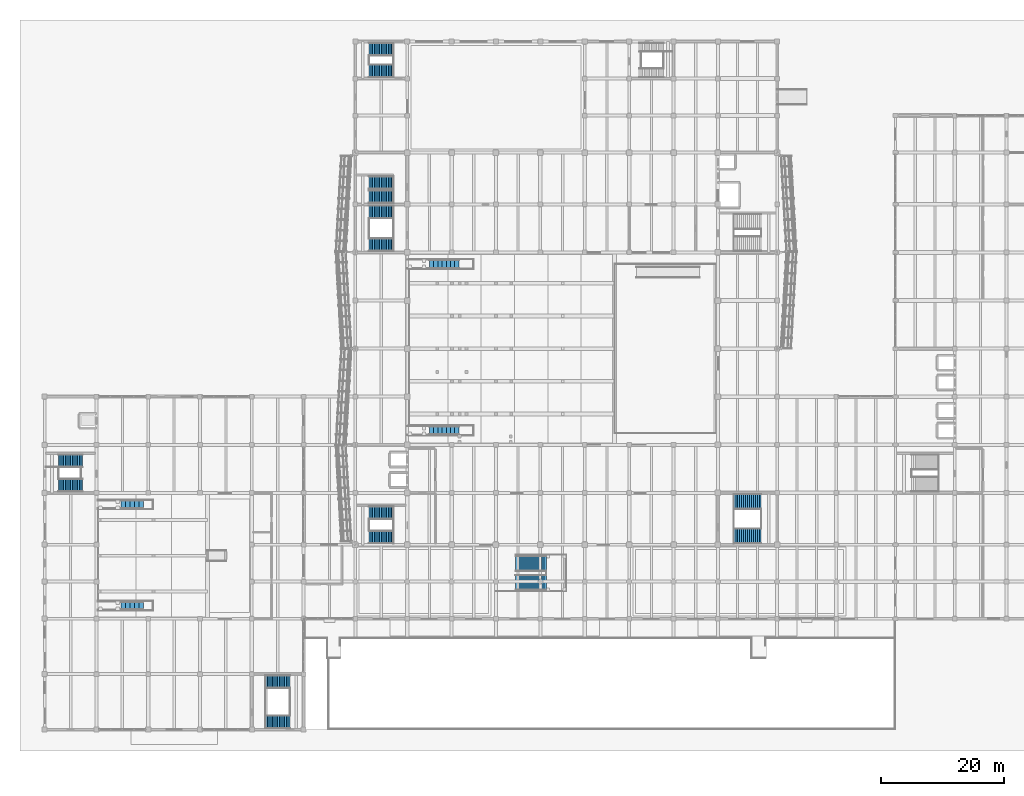
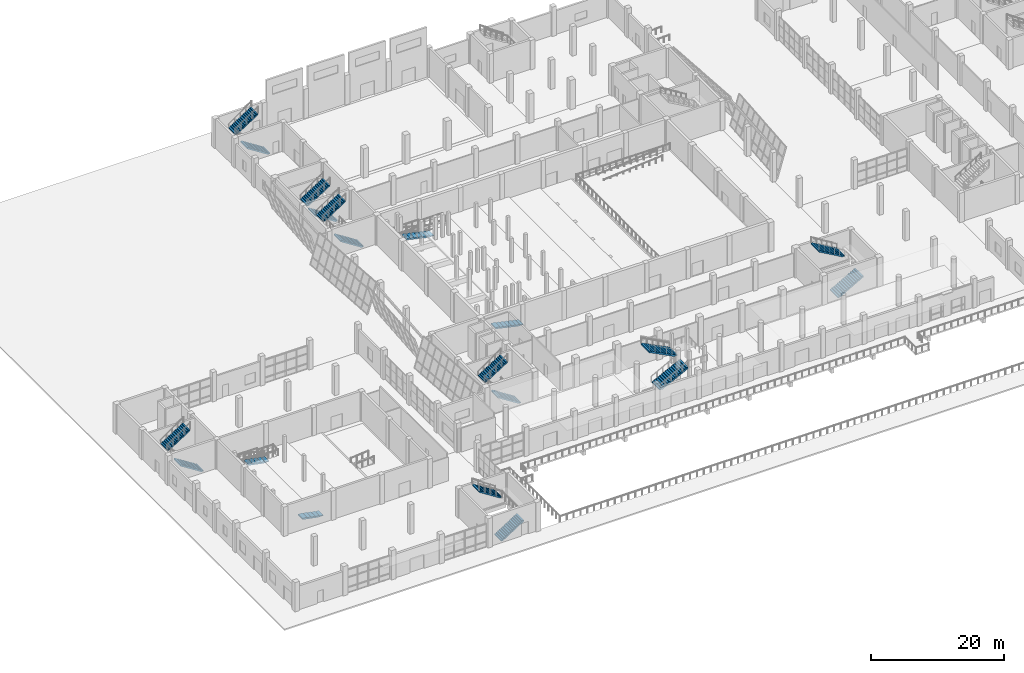
# One storey, part 69 of 78: 20 stair flights, 12 elements without a shape of their own.
"""IFC4 building model written with IfcOpenShell, lengths in metres."""

import ifcopenshell
import ifcopenshell.guid

model = None  # the IFC model being written
_history = None  # IfcOwnerHistory: only IFC2X3 demands one
_inside = {}  # id of a spatial element -> (the spatial element, [elements in it])
_under = {}  # id of a project, library or spatial element -> (it, [spatial elements below it])
_declared = {}  # id of a project -> (the project, [libraries it declares])
_typed = {}  # id of a type object -> (the type object, [elements of that type])
_made_of = {}  # id of a material, layer set ... -> (it, [elements and type objects made of it])


def new_model(schema):
    """Start an empty IFC model of exactly this schema.

    Asked for "IFC4X3", IfcOpenShell would pick the latest addendum, in which some entities
    have other attributes; the version numbers below select the first issue.
    IFC2X3 requires an IfcOwnerHistory on every rooted entity: one is made here for all.
    """
    global model, _history
    if schema == "IFC4X3":
        model = ifcopenshell.file(schema_version=(4, 3, 0, 0))
    else:
        model = ifcopenshell.file(schema=schema)
    _inside.clear()
    _under.clear()
    _declared.clear()
    _typed.clear()
    _made_of.clear()
    _history = None
    if model.schema == "IFC2X3":
        org = make("IfcOrganization", Name="unknown")
        user = make(
            "IfcPersonAndOrganization",
            ThePerson=make("IfcPerson", FamilyName="unknown"),
            TheOrganization=org,
        )
        app = make(
            "IfcApplication",
            ApplicationDeveloper=org,
            Version="unknown",
            ApplicationFullName="unknown",
            ApplicationIdentifier="unknown",
        )
        _history = make(
            "IfcOwnerHistory",
            OwningUser=user,
            OwningApplication=app,
            ChangeAction="ADDED",
            CreationDate=0,
        )
    return model


def make(cls, **values):
    """One entity of the class cls with the attributes given. An attribute that is None is left unset."""
    return model.create_entity(
        cls, **{name: value for name, value in values.items() if value is not None}
    )


def rooted(cls, **values):
    """An entity with a GlobalId (a new one), such as an element, a storey or a relation."""
    return make(cls, GlobalId=ifcopenshell.guid.new(), OwnerHistory=_history, **values)


def si_unit(unit_type, name, prefix=None):
    """IfcSIUnit, for example si_unit("LENGTHUNIT", "METRE", prefix="MILLI")."""
    return make("IfcSIUnit", UnitType=unit_type, Prefix=prefix, Name=name)


def assignment(units):
    """IfcUnitAssignment: the units of a project."""
    return None if units is None else make("IfcUnitAssignment", Units=units)


def point(xyz):
    """IfcCartesianPoint."""
    return None if xyz is None else make("IfcCartesianPoint", Coordinates=xyz)


def direction(xyz):
    """IfcDirection."""
    return None if xyz is None else make("IfcDirection", DirectionRatios=xyz)


def frame(location, z_axis=None, x_axis=None):
    """IfcAxis2Placement3D, a coordinate frame: its origin and axes. An axis left out is left unset."""
    return make(
        "IfcAxis2Placement3D",
        Location=point(location),
        Axis=direction(z_axis),
        RefDirection=direction(x_axis),
    )


def origin():
    """The frame at (0, 0, 0) with its axes left unset."""
    return frame((0.0, 0.0, 0.0))


def place(relative_to, where):
    """IfcLocalPlacement: puts the frame where relative to a parent placement (None: the world)."""
    return make(
        "IfcLocalPlacement", PlacementRelTo=relative_to, RelativePlacement=where
    )


def context(
    kind, dimensions, precision=None, world=None, true_north=None, identifier=None
):
    """IfcGeometricRepresentationContext, for example the 3D "Model" context."""
    return make(
        "IfcGeometricRepresentationContext",
        ContextIdentifier=identifier,
        ContextType=kind,
        CoordinateSpaceDimension=dimensions,
        Precision=precision,
        WorldCoordinateSystem=world,
        TrueNorth=true_north,
    )


def subcontext(parent, identifier, kind, view, scale=None):
    """IfcGeometricRepresentationSubContext, for example "Body" below "Model"."""
    return make(
        "IfcGeometricRepresentationSubContext",
        ContextIdentifier=identifier,
        ContextType=kind,
        ParentContext=parent,
        TargetScale=scale,
        TargetView=view,
    )


def project(units=None, contexts=None):
    """IfcProject with its units and contexts."""
    return rooted(
        "IfcProject",
        Name="project",
        RepresentationContexts=contexts,
        UnitsInContext=assignment(units),
    )


def spatial(cls, under=None, at=None, **own):
    """A site, building, storey or space (cls), placed at a placement, below another one or the project."""
    s = rooted(cls, ObjectPlacement=at, **own)
    if under is not None:
        _under.setdefault(under.id(), (under, []))[1].append(s)
    return s


def polyline(points):
    """IfcPolyline through the points."""
    return make("IfcPolyline", Points=[point(p) for p in points])


def outline(outer, holes=None, kind="AREA"):
    """IfcArbitraryClosedProfileDef: a profile drawn as a closed curve; with holes, ...WithVoids."""
    if holes is None:
        return make("IfcArbitraryClosedProfileDef", ProfileType=kind, OuterCurve=outer)
    return make(
        "IfcArbitraryProfileDefWithVoids",
        ProfileType=kind,
        OuterCurve=outer,
        InnerCurves=holes,
    )


def extrude(swept, where, along, depth):
    """IfcExtrudedAreaSolid: the profile swept, set in the frame where, extruded along a direction by depth."""
    return make(
        "IfcExtrudedAreaSolid",
        SweptArea=swept,
        Position=where,
        ExtrudedDirection=direction(along),
        Depth=depth,
    )


def shape(context_of_items, identifier, shape_type, items):
    """IfcShapeRepresentation: the items that make up one representation, for example the "Body"."""
    return make(
        "IfcShapeRepresentation",
        ContextOfItems=context_of_items,
        RepresentationIdentifier=identifier,
        RepresentationType=shape_type,
        Items=items,
    )


def material(Name=None, Category=None):
    """IfcMaterial."""
    return make("IfcMaterial", Name=Name, Category=Category)


def made_of(thing, what):
    """Note that an element or type object is made of a material, layer set ...; save() writes the relation."""
    if what is not None:
        _made_of.setdefault(what.id(), (what, []))[1].append(thing)
    return thing


def type_object(cls, material=None, **own):
    """A type object (cls), such as IfcWallType, which elements share."""
    return made_of(rooted(cls, **own), material)


def element(
    cls,
    number,
    at=None,
    inside=None,
    cuts=None,
    type_object=None,
    material=None,
    context=None,
    identifier="Body",
    shape_type=None,
    held_by="IfcProductDefinitionShape",
    body=None,
    shapes=None,
    **own,
):
    """One element of the class cls, such as IfcWall. Its Tag is "e" and its number.

    at: its placement. inside: the storey or other place that contains it. cuts: it is an
    opening in that element (IfcRelVoidsElement). A single representation is given by context,
    identifier, shape_type and body (its items); several are given by shapes. held_by: the class
    of the entity that holds the representations. save() writes the other relations.
    """
    e = rooted(cls, Tag="e%d" % number, ObjectPlacement=at, **own)
    if body is not None:
        shapes = [shape(context, identifier, shape_type, body)]
    if shapes is not None:
        e.Representation = make(held_by, Representations=shapes)
    if inside is not None:
        _inside.setdefault(inside.id(), (inside, []))[1].append(e)
    if cuts is not None:
        rooted(
            "IfcRelVoidsElement", RelatingBuildingElement=cuts, RelatedOpeningElement=e
        )
    if type_object is not None:
        _typed.setdefault(type_object.id(), (type_object, []))[1].append(e)
    return made_of(e, material)


def aggregate(whole, parts):
    """IfcRelAggregates: a whole, such as a stair, and the parts it consists of."""
    return rooted("IfcRelAggregates", RelatingObject=whole, RelatedObjects=parts)


def save(model, path):
    """Write the relations noted so far, then the file.

    IfcRelAggregates (storeys below a building ...), IfcRelContainedInSpatialStructure (elements
    in a storey), IfcRelDefinesByType, IfcRelAssociatesMaterial and IfcRelDeclares: one each for
    every whole, place, type object, material and project.
    """
    for whole, parts in _under.values():
        aggregate(whole, parts)
    for where, things in _inside.values():
        rooted(
            "IfcRelContainedInSpatialStructure",
            RelatedElements=things,
            RelatingStructure=where,
        )
    for kind, things in _typed.values():
        rooted("IfcRelDefinesByType", RelatedObjects=things, RelatingType=kind)
    for what, things in _made_of.values():
        rooted("IfcRelAssociatesMaterial", RelatedObjects=things, RelatingMaterial=what)
    for by, libraries in _declared.values():
        rooted("IfcRelDeclares", RelatingContext=by, RelatedDefinitions=libraries)
    model.write(path)


model = new_model("IFC4")

# Units and contexts
model_context = context("Model", 3, precision=1e-05, world=origin(), true_north=direction((0.0, 1.0)))
body_context = subcontext(model_context, "Body", "Model", "MODEL_VIEW")
ifc_project = project(units=[si_unit("LENGTHUNIT", "METRE"), si_unit("AREAUNIT", "SQUARE_METRE"), si_unit("VOLUMEUNIT", "CUBIC_METRE"), si_unit("PLANEANGLEUNIT", "RADIAN"), si_unit("MASSUNIT", "GRAM", prefix="KILO")], contexts=[model_context])

# Site, building, storey
site_placement = place(None, origin())
site = spatial("IfcSite", under=ifc_project, at=site_placement, CompositionType="ELEMENT")
building_placement = place(site_placement, origin())
building = spatial("IfcBuilding", under=site, at=building_placement, Name="Pellamere Symphony Hall", CompositionType="ELEMENT")
storey_placement = place(building_placement, origin())
storey = spatial("IfcBuildingStorey", under=building, at=storey_placement, Name="L00", CompositionType="ELEMENT", Elevation=0.0)

# Stair, stair flights
ifc_material_1 = material(Name="Concrete 40 MPa", Category="concrete")
stair_type_1 = type_object("IfcStairType", Name="Stair ST-A W2400", PredefinedType="HALF_TURN_STAIR", material=ifc_material_1)
stair_1_placement = place(storey_placement, origin())
stair_1 = element("IfcStair", 1, at=stair_1_placement, inside=storey, type_object=stair_type_1, Name="Exit Stair ST08-L00 (L00 to L01)", PredefinedType="HALF_TURN_STAIR")
stair_flight_type_1 = type_object("IfcStairFlightType", Name="Stair Flight SF-A W2400", PredefinedType="STRAIGHT", material=ifc_material_1)
stair_flight_1_placement = place(storey_placement, frame((111.77490234375, 31.360107421875, 0.0), z_axis=(0.0, 0.0, 1.0), x_axis=(1.0, 0.0, 0.0)))
stair_flight_1 = element("IfcStairFlight", 2, at=stair_flight_1_placement, type_object=stair_flight_type_1, Name="Stair ST08-L00 Lower Flight (L00)", NumberOfRisers=15, NumberOfTreads=14, PredefinedType="STRAIGHT", RiserHeight=0.18, TreadLength=0.31786, context=body_context, shape_type="SweptSolid", body=[
    extrude(outline(polyline([(0.0, 0.0), (0.0, 0.179931640625), (0.31787109375, 0.179931640625), (0.31787109375, 0.360107421875), (0.6357421875, 0.360107421875), (0.6357421875, 0.5400390625), (0.95361328125, 0.5400390625), (0.95361328125, 0.719970703125), (1.271484375, 0.719970703125), (1.271484375, 0.89990234375), (1.58935546875, 0.89990234375), (1.58935546875, 1.080078125), (1.9072265625, 1.080078125), (1.9072265625, 1.260009765625), (2.22509765625, 1.260009765625), (2.22509765625, 1.43994140625), (2.54296875, 1.43994140625), (2.54296875, 1.6201171875), (2.86083984375, 1.6201171875), (2.86083984375, 1.800048828125), (3.1787109375, 1.800048828125), (3.1787109375, 1.97998046875), (3.49658203125, 1.97998046875), (3.49658203125, 2.159912109375), (3.814208984375, 2.159912109375), (3.814208984375, 2.340087890625), (4.132080078125, 2.340087890625), (4.132080078125, 2.52001953125), (4.449951171875, 2.52001953125), (4.449951171875, 2.699951171875), (4.449951171875, 2.290283203125), (0.40576171875, 0.0), (0.0, 0.0)])), frame((0.0, 1.199951171875, 0.0), z_axis=(0.0, -1.0, 0.0), x_axis=(1.0, 0.0, 0.0)), (0.0, 0.0, 1.0), 2.39990234375),
])
stair_flight_2_placement = place(storey_placement, frame((116.22509765625, 37.0400390625, 2.699951171875), z_axis=(0.0, 0.0, 1.0), x_axis=(-1.0, 0.0, 0.0)))
stair_flight_2 = element("IfcStairFlight", 3, at=stair_flight_2_placement, type_object=stair_flight_type_1, Name="Stair ST08-L00 Upper Flight (L00)", NumberOfRisers=15, NumberOfTreads=14, PredefinedType="STRAIGHT", RiserHeight=0.18, TreadLength=0.31786, context=body_context, shape_type="SweptSolid", body=[
    extrude(outline(polyline([(0.0, 0.0), (0.0, 0.179931640625), (0.31787109375, 0.179931640625), (0.31787109375, 0.360107421875), (0.6357421875, 0.360107421875), (0.6357421875, 0.5400390625), (0.95361328125, 0.5400390625), (0.95361328125, 0.719970703125), (1.271484375, 0.719970703125), (1.271484375, 0.89990234375), (1.58935546875, 0.89990234375), (1.58935546875, 1.080078125), (1.9072265625, 1.080078125), (1.9072265625, 1.260009765625), (2.22509765625, 1.260009765625), (2.22509765625, 1.43994140625), (2.54296875, 1.43994140625), (2.54296875, 1.6201171875), (2.86083984375, 1.6201171875), (2.86083984375, 1.800048828125), (3.1787109375, 1.800048828125), (3.1787109375, 1.97998046875), (3.49658203125, 1.97998046875), (3.49658203125, 2.159912109375), (3.814208984375, 2.159912109375), (3.814208984375, 2.340087890625), (4.132080078125, 2.340087890625), (4.132080078125, 2.52001953125), (4.449951171875, 2.52001953125), (4.449951171875, 2.699951171875), (4.449951171875, 2.290283203125), (0.40576171875, 0.0), (0.0, 0.0)])), frame((0.0, 1.199951171875, 0.0), z_axis=(0.0, -1.0, 0.0), x_axis=(1.0, 0.0, 0.0)), (0.0, 0.0, 1.0), 2.39990234375),
])
aggregate(stair_1, [stair_flight_1, stair_flight_2])

stair_type_2 = type_object("IfcStairType", Name="Stair ST-B W2050", PredefinedType="HALF_TURN_STAIR", material=ifc_material_1)
stair_2_placement = place(storey_placement, origin())
stair_2 = element("IfcStair", 4, at=stair_2_placement, inside=storey, type_object=stair_type_2, Name="Exit Stair ST01-L00 (L00 to L01)", PredefinedType="HALF_TURN_STAIR")
stair_flight_type_2 = type_object("IfcStairFlightType", Name="Stair Flight SF-B W2050", PredefinedType="STRAIGHT", material=ifc_material_1)
stair_flight_3_placement = place(storey_placement, frame((56.574951171875, 31.18505859375, 0.0), z_axis=(0.0, 0.0, 1.0), x_axis=(-1.0, 0.0, 0.0)))
stair_flight_3 = element("IfcStairFlight", 5, at=stair_flight_3_placement, type_object=stair_flight_type_2, Name="Stair ST01-L00 Lower Flight (L00)", NumberOfRisers=15, NumberOfTreads=14, PredefinedType="STRAIGHT", RiserHeight=0.18, TreadLength=0.28214, context=body_context, shape_type="SweptSolid", body=[
    extrude(outline(polyline([(0.0, 0.0), (0.0, 0.179931640625), (0.2822265625, 0.179931640625), (0.2822265625, 0.360107421875), (0.564208984375, 0.360107421875), (0.564208984375, 0.5400390625), (0.846435546875, 0.5400390625), (0.846435546875, 0.719970703125), (1.128662109375, 0.719970703125), (1.128662109375, 0.89990234375), (1.41064453125, 0.89990234375), (1.41064453125, 1.080078125), (1.69287109375, 1.080078125), (1.69287109375, 1.260009765625), (1.97509765625, 1.260009765625), (1.97509765625, 1.43994140625), (2.257080078125, 1.43994140625), (2.257080078125, 1.6201171875), (2.539306640625, 1.6201171875), (2.539306640625, 1.800048828125), (2.8212890625, 1.800048828125), (2.8212890625, 1.97998046875), (3.103515625, 1.97998046875), (3.103515625, 2.159912109375), (3.3857421875, 2.159912109375), (3.3857421875, 2.340087890625), (3.667724609375, 2.340087890625), (3.667724609375, 2.52001953125), (3.949951171875, 2.52001953125), (3.949951171875, 2.699951171875), (3.949951171875, 2.28271484375), (0.371826171875, 0.0), (0.0, 0.0)])), frame((0.0, 1.02490234375, 0.0), z_axis=(0.0, -1.0, 0.0), x_axis=(1.0, 0.0, 0.0)), (0.0, 0.0, 1.0), 2.050048828125),
])
stair_flight_4_placement = place(storey_placement, frame((52.625, 35.215087890625, 2.699951171875), z_axis=(0.0, 0.0, 1.0), x_axis=(1.0, 0.0, 0.0)))
stair_flight_4 = element("IfcStairFlight", 6, at=stair_flight_4_placement, type_object=stair_flight_type_2, Name="Stair ST01-L00 Upper Flight (L00)", NumberOfRisers=15, NumberOfTreads=14, PredefinedType="STRAIGHT", RiserHeight=0.18, TreadLength=0.28214, context=body_context, shape_type="SweptSolid", body=[
    extrude(outline(polyline([(0.0, 0.0), (0.0, 0.179931640625), (0.2822265625, 0.179931640625), (0.2822265625, 0.360107421875), (0.564208984375, 0.360107421875), (0.564208984375, 0.5400390625), (0.846435546875, 0.5400390625), (0.846435546875, 0.719970703125), (1.128662109375, 0.719970703125), (1.128662109375, 0.89990234375), (1.41064453125, 0.89990234375), (1.41064453125, 1.080078125), (1.69287109375, 1.080078125), (1.69287109375, 1.260009765625), (1.97509765625, 1.260009765625), (1.97509765625, 1.43994140625), (2.257080078125, 1.43994140625), (2.257080078125, 1.6201171875), (2.539306640625, 1.6201171875), (2.539306640625, 1.800048828125), (2.8212890625, 1.800048828125), (2.8212890625, 1.97998046875), (3.103515625, 1.97998046875), (3.103515625, 2.159912109375), (3.3857421875, 2.159912109375), (3.3857421875, 2.340087890625), (3.667724609375, 2.340087890625), (3.667724609375, 2.52001953125), (3.949951171875, 2.52001953125), (3.949951171875, 2.699951171875), (3.949951171875, 2.28271484375), (0.371826171875, 0.0), (0.0, 0.0)])), frame((0.0, 1.02490234375, 0.0), z_axis=(0.0, -1.0, 0.0), x_axis=(1.0, 0.0, 0.0)), (0.0, 0.0, 1.0), 2.050048828125),
])
aggregate(stair_2, [stair_flight_3, stair_flight_4])

stair_3_placement = place(storey_placement, origin())
stair_3 = element("IfcStair", 7, at=stair_3_placement, inside=storey, type_object=stair_type_2, Name="Exit Stair ST03-L00 (L00 to L01)", PredefinedType="HALF_TURN_STAIR")
stair_flight_5_placement = place(storey_placement, frame((6.175048828125, 39.5849609375, 0.0), z_axis=(0.0, 0.0, 1.0), x_axis=(-1.0, 0.0, 0.0)))
stair_flight_5 = element("IfcStairFlight", 8, at=stair_flight_5_placement, type_object=stair_flight_type_2, Name="Stair ST03-L00 Lower Flight (L00)", NumberOfRisers=15, NumberOfTreads=14, PredefinedType="STRAIGHT", RiserHeight=0.18, TreadLength=0.28214, context=body_context, shape_type="SweptSolid", body=[
    extrude(outline(polyline([(0.0, 0.0), (0.0, 0.179931640625), (0.2822265625, 0.179931640625), (0.2822265625, 0.360107421875), (0.564208984375, 0.360107421875), (0.564208984375, 0.5400390625), (0.846435546875, 0.5400390625), (0.846435546875, 0.719970703125), (1.128662109375, 0.719970703125), (1.128662109375, 0.89990234375), (1.41064453125, 0.89990234375), (1.41064453125, 1.080078125), (1.69287109375, 1.080078125), (1.69287109375, 1.260009765625), (1.97509765625, 1.260009765625), (1.97509765625, 1.43994140625), (2.257080078125, 1.43994140625), (2.257080078125, 1.6201171875), (2.539306640625, 1.6201171875), (2.539306640625, 1.800048828125), (2.8212890625, 1.800048828125), (2.8212890625, 1.97998046875), (3.103515625, 1.97998046875), (3.103515625, 2.159912109375), (3.3857421875, 2.159912109375), (3.3857421875, 2.340087890625), (3.667724609375, 2.340087890625), (3.667724609375, 2.52001953125), (3.949951171875, 2.52001953125), (3.949951171875, 2.699951171875), (3.949951171875, 2.28271484375), (0.371826171875, 0.0), (0.0, 0.0)])), frame((0.0, 1.02490234375, 0.0), z_axis=(0.0, -1.0, 0.0), x_axis=(1.0, 0.0, 0.0)), (0.0, 0.0, 1.0), 2.050048828125),
])
stair_flight_6_placement = place(storey_placement, frame((2.22509765625, 43.614990234375, 2.699951171875), z_axis=(0.0, 0.0, 1.0), x_axis=(1.0, 0.0, 0.0)))
stair_flight_6 = element("IfcStairFlight", 9, at=stair_flight_6_placement, type_object=stair_flight_type_2, Name="Stair ST03-L00 Upper Flight (L00)", NumberOfRisers=15, NumberOfTreads=14, PredefinedType="STRAIGHT", RiserHeight=0.18, TreadLength=0.28214, context=body_context, shape_type="SweptSolid", body=[
    extrude(outline(polyline([(0.0, 0.0), (0.0, 0.179931640625), (0.2822265625, 0.179931640625), (0.2822265625, 0.360107421875), (0.564208984375, 0.360107421875), (0.564208984375, 0.5400390625), (0.846435546875, 0.5400390625), (0.846435546875, 0.719970703125), (1.128662109375, 0.719970703125), (1.128662109375, 0.89990234375), (1.41064453125, 0.89990234375), (1.41064453125, 1.080078125), (1.69287109375, 1.080078125), (1.69287109375, 1.260009765625), (1.97509765625, 1.260009765625), (1.97509765625, 1.43994140625), (2.257080078125, 1.43994140625), (2.257080078125, 1.6201171875), (2.539306640625, 1.6201171875), (2.539306640625, 1.800048828125), (2.8212890625, 1.800048828125), (2.8212890625, 1.97998046875), (3.103515625, 1.97998046875), (3.103515625, 2.159912109375), (3.3857421875, 2.159912109375), (3.3857421875, 2.340087890625), (3.667724609375, 2.340087890625), (3.667724609375, 2.52001953125), (3.949951171875, 2.52001953125), (3.949951171875, 2.699951171875), (3.949951171875, 2.28271484375), (0.371826171875, 0.0), (0.0, 0.0)])), frame((0.0, 1.02490234375, 0.0), z_axis=(0.0, -1.0, 0.0), x_axis=(1.0, 0.0, 0.0)), (0.0, 0.0, 1.0), 2.050048828125),
])
aggregate(stair_3, [stair_flight_5, stair_flight_6])

stair_4_placement = place(storey_placement, origin())
stair_4 = element("IfcStair", 10, at=stair_4_placement, inside=storey, type_object=stair_type_2, Name="Exit Stair ST07-L00 (L00 to L01)", PredefinedType="HALF_TURN_STAIR")
stair_flight_7_placement = place(storey_placement, frame((56.574951171875, 78.5849609375, 0.0), z_axis=(0.0, 0.0, 1.0), x_axis=(-1.0, 0.0, 0.0)))
stair_flight_7 = element("IfcStairFlight", 11, at=stair_flight_7_placement, type_object=stair_flight_type_2, Name="Stair ST07-L00 Lower Flight (L00)", NumberOfRisers=15, NumberOfTreads=14, PredefinedType="STRAIGHT", RiserHeight=0.18, TreadLength=0.28214, context=body_context, shape_type="SweptSolid", body=[
    extrude(outline(polyline([(0.0, 0.0), (0.0, 0.179931640625), (0.2822265625, 0.179931640625), (0.2822265625, 0.360107421875), (0.564208984375, 0.360107421875), (0.564208984375, 0.5400390625), (0.846435546875, 0.5400390625), (0.846435546875, 0.719970703125), (1.128662109375, 0.719970703125), (1.128662109375, 0.89990234375), (1.41064453125, 0.89990234375), (1.41064453125, 1.080078125), (1.69287109375, 1.080078125), (1.69287109375, 1.260009765625), (1.97509765625, 1.260009765625), (1.97509765625, 1.43994140625), (2.257080078125, 1.43994140625), (2.257080078125, 1.6201171875), (2.539306640625, 1.6201171875), (2.539306640625, 1.800048828125), (2.8212890625, 1.800048828125), (2.8212890625, 1.97998046875), (3.103515625, 1.97998046875), (3.103515625, 2.159912109375), (3.3857421875, 2.159912109375), (3.3857421875, 2.340087890625), (3.667724609375, 2.340087890625), (3.667724609375, 2.52001953125), (3.949951171875, 2.52001953125), (3.949951171875, 2.699951171875), (3.949951171875, 2.28271484375), (0.371826171875, 0.0), (0.0, 0.0)])), frame((0.0, 1.02490234375, 0.0), z_axis=(0.0, -1.0, 0.0), x_axis=(1.0, 0.0, 0.0)), (0.0, 0.0, 1.0), 2.050048828125),
])
stair_flight_8_placement = place(storey_placement, frame((52.625, 84.014892578125, 2.699951171875), z_axis=(0.0, 0.0, 1.0), x_axis=(1.0, 0.0, 0.0)))
stair_flight_8 = element("IfcStairFlight", 12, at=stair_flight_8_placement, type_object=stair_flight_type_2, Name="Stair ST07-L00 Upper Flight (L00)", NumberOfRisers=15, NumberOfTreads=14, PredefinedType="STRAIGHT", RiserHeight=0.18, TreadLength=0.28214, context=body_context, shape_type="SweptSolid", body=[
    extrude(outline(polyline([(0.0, 0.0), (0.0, 0.179931640625), (0.2822265625, 0.179931640625), (0.2822265625, 0.360107421875), (0.564208984375, 0.360107421875), (0.564208984375, 0.5400390625), (0.846435546875, 0.5400390625), (0.846435546875, 0.719970703125), (1.128662109375, 0.719970703125), (1.128662109375, 0.89990234375), (1.41064453125, 0.89990234375), (1.41064453125, 1.080078125), (1.69287109375, 1.080078125), (1.69287109375, 1.260009765625), (1.97509765625, 1.260009765625), (1.97509765625, 1.43994140625), (2.257080078125, 1.43994140625), (2.257080078125, 1.6201171875), (2.539306640625, 1.6201171875), (2.539306640625, 1.800048828125), (2.8212890625, 1.800048828125), (2.8212890625, 1.97998046875), (3.103515625, 1.97998046875), (3.103515625, 2.159912109375), (3.3857421875, 2.159912109375), (3.3857421875, 2.340087890625), (3.667724609375, 2.340087890625), (3.667724609375, 2.52001953125), (3.949951171875, 2.52001953125), (3.949951171875, 2.699951171875), (3.949951171875, 2.28271484375), (0.371826171875, 0.0), (0.0, 0.0)])), frame((0.0, 1.02490234375, 0.0), z_axis=(0.0, -1.0, 0.0), x_axis=(1.0, 0.0, 0.0)), (0.0, 0.0, 1.0), 2.050048828125),
])
aggregate(stair_4, [stair_flight_7, stair_flight_8])

stair_5_placement = place(storey_placement, origin())
stair_5 = element("IfcStair", 13, at=stair_5_placement, inside=storey, type_object=stair_type_2, Name="Exit Stair ST09-L00 (L00 to L01)", PredefinedType="HALF_TURN_STAIR")
stair_flight_9_placement = place(storey_placement, frame((35.824951171875, 1.18505859375, 0.0), z_axis=(0.0, 0.0, 1.0), x_axis=(1.0, 0.0, 0.0)))
stair_flight_9 = element("IfcStairFlight", 14, at=stair_flight_9_placement, type_object=stair_flight_type_2, Name="Stair ST09-L00 Lower Flight (L00)", NumberOfRisers=15, NumberOfTreads=14, PredefinedType="STRAIGHT", RiserHeight=0.18, TreadLength=0.28214, context=body_context, shape_type="SweptSolid", body=[
    extrude(outline(polyline([(0.0, 0.0), (0.0, 0.179931640625), (0.2822265625, 0.179931640625), (0.2822265625, 0.360107421875), (0.564208984375, 0.360107421875), (0.564208984375, 0.5400390625), (0.846435546875, 0.5400390625), (0.846435546875, 0.719970703125), (1.128662109375, 0.719970703125), (1.128662109375, 0.89990234375), (1.41064453125, 0.89990234375), (1.41064453125, 1.080078125), (1.69287109375, 1.080078125), (1.69287109375, 1.260009765625), (1.97509765625, 1.260009765625), (1.97509765625, 1.43994140625), (2.257080078125, 1.43994140625), (2.257080078125, 1.6201171875), (2.539306640625, 1.6201171875), (2.539306640625, 1.800048828125), (2.8212890625, 1.800048828125), (2.8212890625, 1.97998046875), (3.103515625, 1.97998046875), (3.103515625, 2.159912109375), (3.3857421875, 2.159912109375), (3.3857421875, 2.340087890625), (3.667724609375, 2.340087890625), (3.667724609375, 2.52001953125), (3.949951171875, 2.52001953125), (3.949951171875, 2.699951171875), (3.949951171875, 2.28271484375), (0.371826171875, 0.0), (0.0, 0.0)])), frame((0.0, 1.02490234375, 0.0), z_axis=(0.0, -1.0, 0.0), x_axis=(1.0, 0.0, 0.0)), (0.0, 0.0, 1.0), 2.050048828125),
])
stair_flight_10_placement = place(storey_placement, frame((39.77490234375, 7.81494140625, 2.699951171875), z_axis=(0.0, 0.0, 1.0), x_axis=(-1.0, 0.0, 0.0)))
stair_flight_10 = element("IfcStairFlight", 15, at=stair_flight_10_placement, type_object=stair_flight_type_2, Name="Stair ST09-L00 Upper Flight (L00)", NumberOfRisers=15, NumberOfTreads=14, PredefinedType="STRAIGHT", RiserHeight=0.18, TreadLength=0.28214, context=body_context, shape_type="SweptSolid", body=[
    extrude(outline(polyline([(0.0, 0.0), (0.0, 0.179931640625), (0.2822265625, 0.179931640625), (0.2822265625, 0.360107421875), (0.564208984375, 0.360107421875), (0.564208984375, 0.5400390625), (0.846435546875, 0.5400390625), (0.846435546875, 0.719970703125), (1.128662109375, 0.719970703125), (1.128662109375, 0.89990234375), (1.41064453125, 0.89990234375), (1.41064453125, 1.080078125), (1.69287109375, 1.080078125), (1.69287109375, 1.260009765625), (1.97509765625, 1.260009765625), (1.97509765625, 1.43994140625), (2.257080078125, 1.43994140625), (2.257080078125, 1.6201171875), (2.539306640625, 1.6201171875), (2.539306640625, 1.800048828125), (2.8212890625, 1.800048828125), (2.8212890625, 1.97998046875), (3.103515625, 1.97998046875), (3.103515625, 2.159912109375), (3.3857421875, 2.159912109375), (3.3857421875, 2.340087890625), (3.667724609375, 2.340087890625), (3.667724609375, 2.52001953125), (3.949951171875, 2.52001953125), (3.949951171875, 2.699951171875), (3.949951171875, 2.28271484375), (0.371826171875, 0.0), (0.0, 0.0)])), frame((0.0, 1.02490234375, 0.0), z_axis=(0.0, -1.0, 0.0), x_axis=(1.0, 0.0, 0.0)), (0.0, 0.0, 1.0), 2.050048828125),
])
aggregate(stair_5, [stair_flight_9, stair_flight_10])

stair_6_placement = place(storey_placement, origin())
stair_6 = element("IfcStair", 16, at=stair_6_placement, inside=storey, type_object=stair_type_2, Name="Exit Stair ST10-L00 (L00 to L01)", PredefinedType="HALF_TURN_STAIR")
stair_flight_11_placement = place(storey_placement, frame((56.574951171875, 106.784912109375, 0.0), z_axis=(0.0, 0.0, 1.0), x_axis=(-1.0, 0.0, 0.0)))
stair_flight_11 = element("IfcStairFlight", 17, at=stair_flight_11_placement, type_object=stair_flight_type_2, Name="Stair ST10-L00 Lower Flight (L00)", NumberOfRisers=15, NumberOfTreads=14, PredefinedType="STRAIGHT", RiserHeight=0.18, TreadLength=0.28214, context=body_context, shape_type="SweptSolid", body=[
    extrude(outline(polyline([(0.0, 0.0), (0.0, 0.179931640625), (0.2822265625, 0.179931640625), (0.2822265625, 0.360107421875), (0.564208984375, 0.360107421875), (0.564208984375, 0.5400390625), (0.846435546875, 0.5400390625), (0.846435546875, 0.719970703125), (1.128662109375, 0.719970703125), (1.128662109375, 0.89990234375), (1.41064453125, 0.89990234375), (1.41064453125, 1.080078125), (1.69287109375, 1.080078125), (1.69287109375, 1.260009765625), (1.97509765625, 1.260009765625), (1.97509765625, 1.43994140625), (2.257080078125, 1.43994140625), (2.257080078125, 1.6201171875), (2.539306640625, 1.6201171875), (2.539306640625, 1.800048828125), (2.8212890625, 1.800048828125), (2.8212890625, 1.97998046875), (3.103515625, 1.97998046875), (3.103515625, 2.159912109375), (3.3857421875, 2.159912109375), (3.3857421875, 2.340087890625), (3.667724609375, 2.340087890625), (3.667724609375, 2.52001953125), (3.949951171875, 2.52001953125), (3.949951171875, 2.699951171875), (3.949951171875, 2.28271484375), (0.371826171875, 0.0), (0.0, 0.0)])), frame((0.0, 1.02490234375, 0.0), z_axis=(0.0, -1.0, 0.0), x_axis=(1.0, 0.0, 0.0)), (0.0, 0.0, 1.0), 2.050048828125),
])
stair_flight_12_placement = place(storey_placement, frame((52.625, 110.4150390625, 2.699951171875), z_axis=(0.0, 0.0, 1.0), x_axis=(1.0, 0.0, 0.0)))
stair_flight_12 = element("IfcStairFlight", 18, at=stair_flight_12_placement, type_object=stair_flight_type_2, Name="Stair ST10-L00 Upper Flight (L00)", NumberOfRisers=15, NumberOfTreads=14, PredefinedType="STRAIGHT", RiserHeight=0.18, TreadLength=0.28214, context=body_context, shape_type="SweptSolid", body=[
    extrude(outline(polyline([(0.0, 0.0), (0.0, 0.179931640625), (0.2822265625, 0.179931640625), (0.2822265625, 0.360107421875), (0.564208984375, 0.360107421875), (0.564208984375, 0.5400390625), (0.846435546875, 0.5400390625), (0.846435546875, 0.719970703125), (1.128662109375, 0.719970703125), (1.128662109375, 0.89990234375), (1.41064453125, 0.89990234375), (1.41064453125, 1.080078125), (1.69287109375, 1.080078125), (1.69287109375, 1.260009765625), (1.97509765625, 1.260009765625), (1.97509765625, 1.43994140625), (2.257080078125, 1.43994140625), (2.257080078125, 1.6201171875), (2.539306640625, 1.6201171875), (2.539306640625, 1.800048828125), (2.8212890625, 1.800048828125), (2.8212890625, 1.97998046875), (3.103515625, 1.97998046875), (3.103515625, 2.159912109375), (3.3857421875, 2.159912109375), (3.3857421875, 2.340087890625), (3.667724609375, 2.340087890625), (3.667724609375, 2.52001953125), (3.949951171875, 2.52001953125), (3.949951171875, 2.699951171875), (3.949951171875, 2.28271484375), (0.371826171875, 0.0), (0.0, 0.0)])), frame((0.0, 1.02490234375, 0.0), z_axis=(0.0, -1.0, 0.0), x_axis=(1.0, 0.0, 0.0)), (0.0, 0.0, 1.0), 2.050048828125),
])
aggregate(stair_6, [stair_flight_11, stair_flight_12])

stair_7_placement = place(storey_placement, origin())
stair_7 = element("IfcStair", 19, at=stair_7_placement, inside=storey, type_object=stair_type_2, Name="Exit Stair ST13-L00 (L00 to L01)", PredefinedType="HALF_TURN_STAIR")
stair_flight_13_placement = place(storey_placement, frame((56.574951171875, 86.385009765625, 0.0), z_axis=(0.0, 0.0, 1.0), x_axis=(-1.0, 0.0, 0.0)))
stair_flight_13 = element("IfcStairFlight", 20, at=stair_flight_13_placement, type_object=stair_flight_type_2, Name="Stair ST13-L00 Lower Flight (L00)", NumberOfRisers=15, NumberOfTreads=14, PredefinedType="STRAIGHT", RiserHeight=0.18, TreadLength=0.28214, context=body_context, shape_type="SweptSolid", body=[
    extrude(outline(polyline([(0.0, 0.0), (0.0, 0.179931640625), (0.2822265625, 0.179931640625), (0.2822265625, 0.360107421875), (0.564208984375, 0.360107421875), (0.564208984375, 0.5400390625), (0.846435546875, 0.5400390625), (0.846435546875, 0.719970703125), (1.128662109375, 0.719970703125), (1.128662109375, 0.89990234375), (1.41064453125, 0.89990234375), (1.41064453125, 1.080078125), (1.69287109375, 1.080078125), (1.69287109375, 1.260009765625), (1.97509765625, 1.260009765625), (1.97509765625, 1.43994140625), (2.257080078125, 1.43994140625), (2.257080078125, 1.6201171875), (2.539306640625, 1.6201171875), (2.539306640625, 1.800048828125), (2.8212890625, 1.800048828125), (2.8212890625, 1.97998046875), (3.103515625, 1.97998046875), (3.103515625, 2.159912109375), (3.3857421875, 2.159912109375), (3.3857421875, 2.340087890625), (3.667724609375, 2.340087890625), (3.667724609375, 2.52001953125), (3.949951171875, 2.52001953125), (3.949951171875, 2.699951171875), (3.949951171875, 2.28271484375), (0.371826171875, 0.0), (0.0, 0.0)])), frame((0.0, 1.02490234375, 0.0), z_axis=(0.0, -1.0, 0.0), x_axis=(1.0, 0.0, 0.0)), (0.0, 0.0, 1.0), 2.050048828125),
])
stair_flight_14_placement = place(storey_placement, frame((52.625, 88.77490234375, 2.699951171875), z_axis=(0.0, 0.0, 1.0), x_axis=(1.0, 0.0, 0.0)))
stair_flight_14 = element("IfcStairFlight", 21, at=stair_flight_14_placement, type_object=stair_flight_type_2, Name="Stair ST13-L00 Upper Flight (L00)", NumberOfRisers=15, NumberOfTreads=14, PredefinedType="STRAIGHT", RiserHeight=0.18, TreadLength=0.28214, context=body_context, shape_type="SweptSolid", body=[
    extrude(outline(polyline([(0.0, 0.0), (0.0, 0.179931640625), (0.2822265625, 0.179931640625), (0.2822265625, 0.360107421875), (0.564208984375, 0.360107421875), (0.564208984375, 0.5400390625), (0.846435546875, 0.5400390625), (0.846435546875, 0.719970703125), (1.128662109375, 0.719970703125), (1.128662109375, 0.89990234375), (1.41064453125, 0.89990234375), (1.41064453125, 1.080078125), (1.69287109375, 1.080078125), (1.69287109375, 1.260009765625), (1.97509765625, 1.260009765625), (1.97509765625, 1.43994140625), (2.257080078125, 1.43994140625), (2.257080078125, 1.6201171875), (2.539306640625, 1.6201171875), (2.539306640625, 1.800048828125), (2.8212890625, 1.800048828125), (2.8212890625, 1.97998046875), (3.103515625, 1.97998046875), (3.103515625, 2.159912109375), (3.3857421875, 2.159912109375), (3.3857421875, 2.340087890625), (3.667724609375, 2.340087890625), (3.667724609375, 2.52001953125), (3.949951171875, 2.52001953125), (3.949951171875, 2.699951171875), (3.949951171875, 2.28271484375), (0.371826171875, 0.0), (0.0, 0.0)])), frame((0.0, 1.02490234375, 0.0), z_axis=(0.0, -1.0, 0.0), x_axis=(1.0, 0.0, 0.0)), (0.0, 0.0, 1.0), 2.050048828125),
])
aggregate(stair_7, [stair_flight_13, stair_flight_14])

ifc_material_2 = material(Name="Architectural warm-pigmented concrete 40 MPa", Category="concrete")
stair_type_3 = type_object("IfcStairType", Name="Stair ST-F W2400", PredefinedType="HALF_TURN_STAIR", material=ifc_material_2)
stair_8_placement = place(storey_placement, origin())
stair_8 = element("IfcStair", 22, at=stair_8_placement, inside=storey, type_object=stair_type_3, Name="Winter-Garden Feature Stair L00 to L01", PredefinedType="HALF_TURN_STAIR")
stair_flight_type_3 = type_object("IfcStairFlightType", Name="Stair Flight SF-F W2400", PredefinedType="STRAIGHT", material=ifc_material_2)
stair_flight_15_placement = place(storey_placement, frame((76.39990234375, 23.800048828125, 0.0), z_axis=(0.0, 0.0, 1.0), x_axis=(1.0, 0.0, 0.0)))
stair_flight_15 = element("IfcStairFlight", 23, at=stair_flight_15_placement, type_object=stair_flight_type_3, Name="Feature Stair Lower Flight (L00)", NumberOfRisers=16, NumberOfTreads=15, PredefinedType="STRAIGHT", RiserHeight=0.16875, TreadLength=0.33067, context=body_context, shape_type="SweptSolid", body=[
    extrude(outline(polyline([(0.0, 0.0), (0.0, 0.168701171875), (0.33056640625, 0.168701171875), (0.33056640625, 0.33740234375), (0.661376953125, 0.33740234375), (0.661376953125, 0.50634765625), (0.991943359375, 0.50634765625), (0.991943359375, 0.675048828125), (1.32275390625, 0.675048828125), (1.32275390625, 0.84375), (1.6533203125, 0.84375), (1.6533203125, 1.012451171875), (1.984130859375, 1.012451171875), (1.984130859375, 1.18115234375), (2.314697265625, 1.18115234375), (2.314697265625, 1.35009765625), (2.645263671875, 1.35009765625), (2.645263671875, 1.518798828125), (2.97607421875, 1.518798828125), (2.97607421875, 1.6875), (3.306640625, 1.6875), (3.306640625, 1.856201171875), (3.637451171875, 1.856201171875), (3.637451171875, 2.02490234375), (3.968017578125, 2.02490234375), (3.968017578125, 2.19384765625), (4.298828125, 2.19384765625), (4.298828125, 2.362548828125), (4.62939453125, 2.362548828125), (4.62939453125, 2.53125), (4.9599609375, 2.53125), (4.9599609375, 2.699951171875), (4.9599609375, 2.26171875), (0.528076171875, 0.0), (0.0, 0.0)])), frame((0.0, 1.199951171875, 0.0), z_axis=(0.0, -1.0, 0.0), x_axis=(1.0, 0.0, 0.0)), (0.0, 0.0, 1.0), 2.39990234375),
])
stair_flight_16_placement = place(storey_placement, frame((81.360107421875, 27.0, 2.699951171875), z_axis=(0.0, 0.0, 1.0), x_axis=(-1.0, 0.0, 0.0)))
stair_flight_16 = element("IfcStairFlight", 24, at=stair_flight_16_placement, type_object=stair_flight_type_3, Name="Feature Stair Upper Flight (L00)", NumberOfRisers=16, NumberOfTreads=15, PredefinedType="STRAIGHT", RiserHeight=0.16875, TreadLength=0.33067, context=body_context, shape_type="SweptSolid", body=[
    extrude(outline(polyline([(0.0, 0.0), (0.0, 0.168701171875), (0.33056640625, 0.168701171875), (0.33056640625, 0.33740234375), (0.661376953125, 0.33740234375), (0.661376953125, 0.50634765625), (0.991943359375, 0.50634765625), (0.991943359375, 0.675048828125), (1.32275390625, 0.675048828125), (1.32275390625, 0.84375), (1.6533203125, 0.84375), (1.6533203125, 1.012451171875), (1.984130859375, 1.012451171875), (1.984130859375, 1.18115234375), (2.314697265625, 1.18115234375), (2.314697265625, 1.35009765625), (2.645263671875, 1.35009765625), (2.645263671875, 1.518798828125), (2.97607421875, 1.518798828125), (2.97607421875, 1.6875), (3.306640625, 1.6875), (3.306640625, 1.856201171875), (3.637451171875, 1.856201171875), (3.637451171875, 2.02490234375), (3.968017578125, 2.02490234375), (3.968017578125, 2.19384765625), (4.298828125, 2.19384765625), (4.298828125, 2.362548828125), (4.62939453125, 2.362548828125), (4.62939453125, 2.53125), (4.9599609375, 2.53125), (4.9599609375, 2.699951171875), (4.9599609375, 2.26171875), (0.528076171875, 0.0), (0.0, 0.0)])), frame((0.0, 1.199951171875, 0.0), z_axis=(0.0, -1.0, 0.0), x_axis=(1.0, 0.0, 0.0)), (0.0, 0.0, 1.0), 2.39990234375),
])
aggregate(stair_8, [stair_flight_15, stair_flight_16])

# Stair, stair flight
ifc_material_3 = material(Name="Precast concrete 40 MPa", Category="concrete")
stair_type_4 = type_object("IfcStairType", Name="Stair ST-V W1400", PredefinedType="STRAIGHT_RUN_STAIR", material=ifc_material_3)
stair_9_placement = place(storey_placement, origin())
stair_9 = element("IfcStair", 25, at=stair_9_placement, inside=storey, type_object=stair_type_4, Name="Hall Acoustic Vomitory Stair VOM-01 (L00)", PredefinedType="STRAIGHT_RUN_STAIR")
stair_flight_type_4 = type_object("IfcStairFlightType", Name="Stair Flight SF-V1 W1400", PredefinedType="STRAIGHT", material=ifc_material_3)
stair_flight_17_placement = place(storey_placement, frame((67.199951171875, 48.5, 0.0), z_axis=(0.0, 0.0, 1.0), x_axis=(-1.0, 0.0, 0.0)))
stair_flight_17 = element("IfcStairFlight", 26, at=stair_flight_17_placement, type_object=stair_flight_type_4, Name="Vomitory Stair Flight VOM-01 (L00)", NumberOfRisers=8, NumberOfTreads=7, PredefinedType="STRAIGHT", RiserHeight=0.15625, TreadLength=0.68571, context=body_context, shape_type="SweptSolid", body=[
    extrude(outline(polyline([(0.0, 0.0), (0.0, 0.15625), (0.685791015625, 0.15625), (0.685791015625, 0.3125), (1.371337890625, 0.3125), (1.371337890625, 0.46875), (2.05712890625, 0.46875), (2.05712890625, 0.625), (2.742919921875, 0.625), (2.742919921875, 0.78125), (3.428466796875, 0.78125), (3.428466796875, 0.9375), (4.1142578125, 0.9375), (4.1142578125, 1.09375), (4.800048828125, 1.09375), (4.800048828125, 1.25), (4.800048828125, 0.888671875), (0.89990234375, 0.0), (0.0, 0.0)])), frame((0.0, 0.699951171875, 0.0), z_axis=(0.0, -1.0, 0.0), x_axis=(1.0, 0.0, 0.0)), (0.0, 0.0, 1.0), 1.39990234375),
])
aggregate(stair_9, [stair_flight_17])

stair_10_placement = place(storey_placement, origin())
stair_10 = element("IfcStair", 27, at=stair_10_placement, inside=storey, type_object=stair_type_4, Name="Hall Acoustic Vomitory Stair VOM-02 (L00)", PredefinedType="STRAIGHT_RUN_STAIR")
stair_flight_18_placement = place(storey_placement, frame((67.199951171875, 75.5, 0.0), z_axis=(0.0, 0.0, 1.0), x_axis=(-1.0, 0.0, 0.0)))
stair_flight_18 = element("IfcStairFlight", 28, at=stair_flight_18_placement, type_object=stair_flight_type_4, Name="Vomitory Stair Flight VOM-02 (L00)", NumberOfRisers=8, NumberOfTreads=7, PredefinedType="STRAIGHT", RiserHeight=0.15625, TreadLength=0.68571, context=body_context, shape_type="SweptSolid", body=[
    extrude(outline(polyline([(0.0, 0.0), (0.0, 0.15625), (0.685791015625, 0.15625), (0.685791015625, 0.3125), (1.371337890625, 0.3125), (1.371337890625, 0.46875), (2.05712890625, 0.46875), (2.05712890625, 0.625), (2.742919921875, 0.625), (2.742919921875, 0.78125), (3.428466796875, 0.78125), (3.428466796875, 0.9375), (4.1142578125, 0.9375), (4.1142578125, 1.09375), (4.800048828125, 1.09375), (4.800048828125, 1.25), (4.800048828125, 0.888671875), (0.89990234375, 0.0), (0.0, 0.0)])), frame((0.0, 0.699951171875, 0.0), z_axis=(0.0, -1.0, 0.0), x_axis=(1.0, 0.0, 0.0)), (0.0, 0.0, 1.0), 1.39990234375),
])
aggregate(stair_10, [stair_flight_18])

stair_11_placement = place(storey_placement, origin())
stair_11 = element("IfcStair", 29, at=stair_11_placement, inside=storey, type_object=stair_type_4, Name="Hall Acoustic Vomitory Stair VOM-05 (L00)", PredefinedType="STRAIGHT_RUN_STAIR")
stair_flight_type_5 = type_object("IfcStairFlightType", Name="Stair Flight SF-V2 W1350", PredefinedType="STRAIGHT", material=ifc_material_3)
stair_flight_19_placement = place(storey_placement, frame((16.0, 20.10009765625, 0.0), z_axis=(0.0, 0.0, 1.0), x_axis=(-1.0, 0.0, 0.0)))
stair_flight_19 = element("IfcStairFlight", 30, at=stair_flight_19_placement, type_object=stair_flight_type_5, Name="Vomitory Stair Flight VOM-05 (L00)", NumberOfRisers=6, NumberOfTreads=5, PredefinedType="STRAIGHT", RiserHeight=0.14167, TreadLength=0.72, context=body_context, shape_type="SweptSolid", body=[
    extrude(outline(polyline([(0.0, 0.0), (0.0, 0.1416015625), (0.719970703125, 0.1416015625), (0.719970703125, 0.283447265625), (1.43994140625, 0.283447265625), (1.43994140625, 0.425048828125), (2.159912109375, 0.425048828125), (2.159912109375, 0.566650390625), (2.8798828125, 0.566650390625), (2.8798828125, 0.708251953125), (3.60009765625, 0.708251953125), (3.60009765625, 0.85009765625), (3.60009765625, 0.504638671875), (1.03564453125, 0.0), (0.0, 0.0)])), frame((0.0, 0.675048828125, 0.0), z_axis=(0.0, -1.0, 0.0), x_axis=(1.0, 0.0, 0.0)), (0.0, 0.0, 1.0), 1.35009765625),
])
aggregate(stair_11, [stair_flight_19])

stair_12_placement = place(storey_placement, origin())
stair_12 = element("IfcStair", 31, at=stair_12_placement, inside=storey, type_object=stair_type_4, Name="Hall Acoustic Vomitory Stair VOM-06 (L00)", PredefinedType="STRAIGHT_RUN_STAIR")
stair_flight_20_placement = place(storey_placement, frame((16.0, 36.5, 0.0), z_axis=(0.0, 0.0, 1.0), x_axis=(-1.0, 0.0, 0.0)))
stair_flight_20 = element("IfcStairFlight", 32, at=stair_flight_20_placement, type_object=stair_flight_type_5, Name="Vomitory Stair Flight VOM-06 (L00)", NumberOfRisers=6, NumberOfTreads=5, PredefinedType="STRAIGHT", RiserHeight=0.14167, TreadLength=0.72, context=body_context, shape_type="SweptSolid", body=[
    extrude(outline(polyline([(0.0, 0.0), (0.0, 0.1416015625), (0.719970703125, 0.1416015625), (0.719970703125, 0.283447265625), (1.43994140625, 0.283447265625), (1.43994140625, 0.425048828125), (2.159912109375, 0.425048828125), (2.159912109375, 0.566650390625), (2.8798828125, 0.566650390625), (2.8798828125, 0.708251953125), (3.60009765625, 0.708251953125), (3.60009765625, 0.85009765625), (3.60009765625, 0.504638671875), (1.03564453125, 0.0), (0.0, 0.0)])), frame((0.0, 0.675048828125, 0.0), z_axis=(0.0, -1.0, 0.0), x_axis=(1.0, 0.0, 0.0)), (0.0, 0.0, 1.0), 1.35009765625),
])
aggregate(stair_12, [stair_flight_20])

save(model, "model.ifc")
